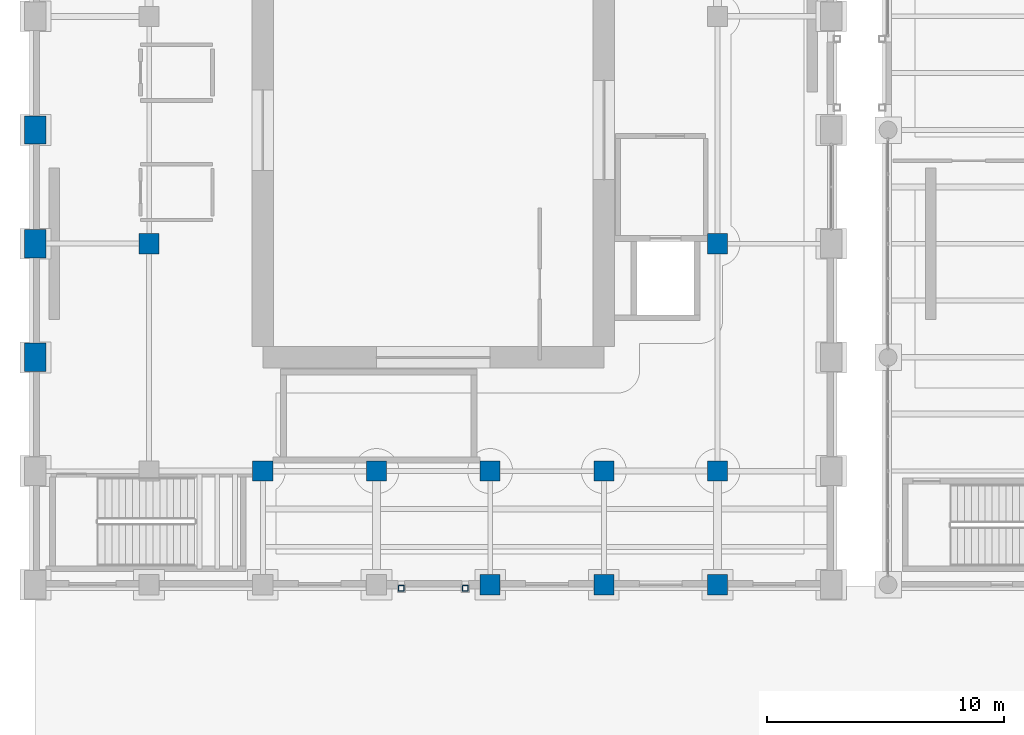
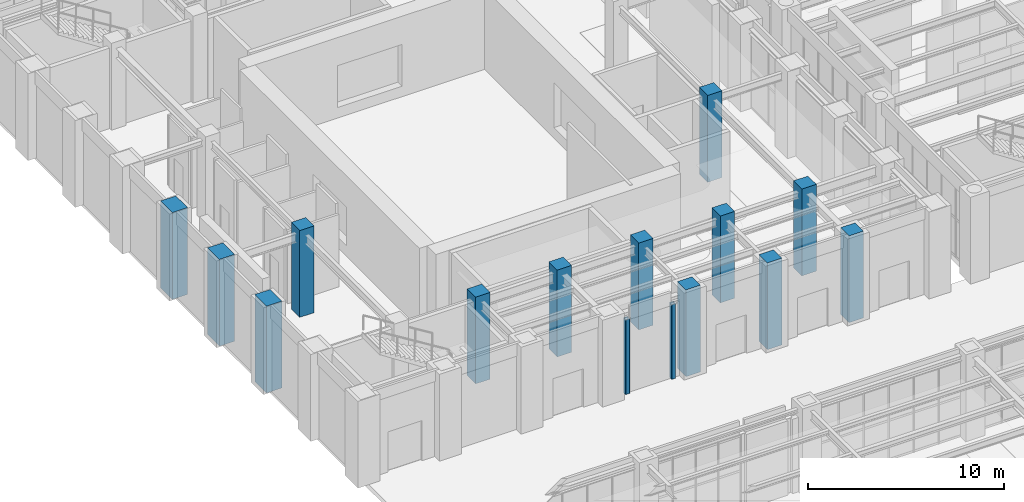
# One storey, part 5 of 164: 15 columns.
"""IFC4 building model written with IfcOpenShell, lengths in metres."""

from ifc_helpers import new_model, si_unit, direction, frame, origin, origin_2d, place, context, subcontext, project, spatial, rectangle, hollow_rectangle, extrude, material, material_profile, profile_set, type_object, element, save


model = new_model("IFC4")

# Units and contexts
model_context = context("Model", 3, precision=1e-05, world=origin(), true_north=direction((0.0, 1.0)))
body_context = subcontext(model_context, "Body", "Model", "MODEL_VIEW")
ifc_project = project(units=[si_unit("LENGTHUNIT", "METRE"), si_unit("AREAUNIT", "SQUARE_METRE"), si_unit("VOLUMEUNIT", "CUBIC_METRE"), si_unit("PLANEANGLEUNIT", "RADIAN"), si_unit("MASSUNIT", "GRAM", prefix="KILO")], contexts=[model_context])

# Site, building, storey
site_placement = place(None, origin())
site = spatial("IfcSite", under=ifc_project, at=site_placement, CompositionType="ELEMENT")
building_placement = place(site_placement, origin())
building = spatial("IfcBuilding", under=site, at=building_placement, Name="Mavantir Sound Aquarium", CompositionType="ELEMENT")
storey_placement = place(building_placement, origin())
storey = spatial("IfcBuildingStorey", under=building, at=storey_placement, Name="L00", CompositionType="ELEMENT", Elevation=0.0)

# Columns
ifc_material_1 = material(Name="Concrete C40/50", Category="concrete")
ifc_material_profile_1 = material_profile(ifc_material_1, rectangle(XDim=0.85009765625, YDim=0.85009765625, at=origin_2d()), Name="RC 850X850")
ifc_profile_set_1 = profile_set([ifc_material_profile_1], Name="Concrete C40/50")
column_type_1 = type_object("IfcColumnType", Name="COL-RC850-I", PredefinedType="COLUMN", material=ifc_profile_set_1)
for number, where, z_axis, x_axis, name in (
    (1, (4.800048828125, 55.199951171875, 0.0), (0.0, 0.0, 1.0), (1.0, 0.0, 0.0), "L00 column RC-C85 (V1)"),
    (2, (9.60009765625, 45.60009765625, 0.0), (0.0, 0.0, 1.0), (1.0, 0.0, 0.0), "L00 column RC-C85 (V1)"),
    (3, (14.39990234375, 45.60009765625, 0.0), (0.0, 0.0, 1.0), (1.0, 0.0, 0.0), "L00 column RC-C85 (V1)"),
    (4, (19.199951171875, 40.800048828125, 0.0), (0.0, 0.0, 1.0), (1.0, 0.0, 0.0), "L00 column RC-C85 (V1)"),
    (5, (19.199951171875, 45.60009765625, 0.0), (0.0, 0.0, 1.0), (1.0, 0.0, 0.0), "L00 column RC-C85 (V1)"),
    (6, (24.0, 40.800048828125, 0.0), (0.0, 0.0, 1.0), (1.0, 0.0, 0.0), "L00 column RC-C85 (V1)"),
    (7, (24.0, 45.60009765625, 0.0), (0.0, 0.0, 1.0), (1.0, 0.0, 0.0), "L00 column RC-C85 (V1)"),
    (8, (28.800048828125, 40.800048828125, 0.0), (0.0, 0.0, 1.0), (1.0, 0.0, 0.0), "L00 column RC-C85 (V1)"),
    (9, (28.800048828125, 45.60009765625, 0.0), (0.0, 0.0, 1.0), (1.0, 0.0, 0.0), "L00 column RC-C85 (V1)"),
    (10, (28.800048828125, 55.199951171875, 0.0), (0.0, 0.0, 1.0), (1.0, 0.0, 0.0), "L00 column RC-C85 (V1)"),
):
    element("IfcColumn", number, at=place(storey_placement, frame(where, z_axis=z_axis, x_axis=x_axis)), inside=storey, type_object=column_type_1, Name=name, PredefinedType="COLUMN", context=body_context, shape_type="SweptSolid", body=[
        extrude(rectangle(XDim=0.85009765625, YDim=0.85009765625, at=origin_2d()), origin(), (0.0, 0.0, 1.0), 5.39990234375),
    ])
ifc_material_profile_2 = material_profile(ifc_material_1, rectangle(XDim=0.89990234375, YDim=1.199951171875, at=origin_2d()), Name="RC 900X1200")
ifc_profile_set_2 = profile_set([ifc_material_profile_2], Name="Concrete C40/50")
column_type_2 = type_object("IfcColumnType", Name="COL-RC900X1200-E", PredefinedType="COLUMN", material=ifc_profile_set_2)
for number, where, z_axis, x_axis, name in (
    (11, (0.0, 50.39990234375, 0.0), (0.0, 0.0, 1.0), (1.0, 0.0, 0.0), "L00 column RC-C912 (V1)"),
    (12, (0.0, 55.199951171875, 0.0), (0.0, 0.0, 1.0), (1.0, 0.0, 0.0), "L00 column RC-C912 (V1)"),
    (13, (0.0, 60.0, 0.0), (0.0, 0.0, 1.0), (1.0, 0.0, 0.0), "L00 column RC-C912 (V1)"),
):
    element("IfcColumn", number, at=place(storey_placement, frame(where, z_axis=z_axis, x_axis=x_axis)), inside=storey, type_object=column_type_2, Name=name, PredefinedType="COLUMN", context=body_context, shape_type="SweptSolid", body=[
        extrude(rectangle(XDim=0.89990234375, YDim=1.199951171875, at=origin_2d()), origin(), (0.0, 0.0, 1.0), 5.39990234375),
    ])
ifc_material_2 = material(Name="Hollow Structural Steel ASTM A500 GrC", Category="steel")
ifc_material_profile_3 = material_profile(ifc_material_2, hollow_rectangle(XDim=0.25, YDim=0.25, WallThickness=0.012451171875, InnerFilletRadius=0.012451171875, OuterFilletRadius=0.02490234375, at=origin_2d()), Name="SHS 250X250X12.5")
ifc_profile_set_3 = profile_set([ifc_material_profile_3], Name="Hollow Structural Steel ASTM A500 GrC")
column_type_3 = type_object("IfcColumnType", Name="COL-SHS250-E", PredefinedType="COLUMN", material=ifc_profile_set_3)
for number, where, z_axis, x_axis, name in (
    (14, (15.449951171875, 40.64990234375, 0.0), (0.0, 0.0, 1.0), (1.0, 0.0, 0.0), "Bridge support column 2.2 (L00)"),
    (15, (18.14990234375, 40.64990234375, 0.0), (0.0, 0.0, 1.0), (1.0, 0.0, 0.0), "Bridge support column 2.4 (L00)"),
):
    element("IfcColumn", number, at=place(storey_placement, frame(where, z_axis=z_axis, x_axis=x_axis)), inside=storey, type_object=column_type_3, Name=name, PredefinedType="COLUMN", context=body_context, shape_type="SweptSolid", body=[
        extrude(hollow_rectangle(XDim=0.25, YDim=0.25, WallThickness=0.012451171875, InnerFilletRadius=0.012451171875, OuterFilletRadius=0.02490234375, at=origin_2d()), origin(), (0.0, 0.0, 1.0), 4.65087890625),
    ])

save(model, "model.ifc")
